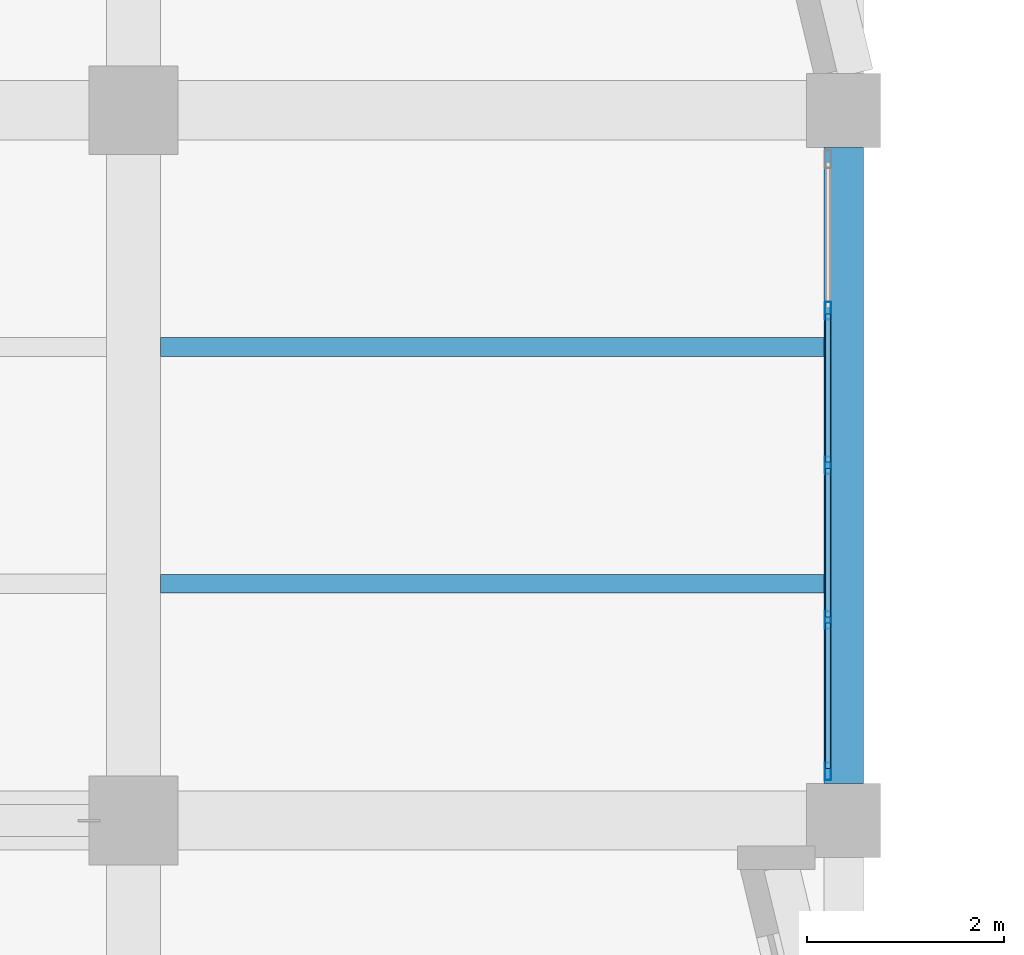
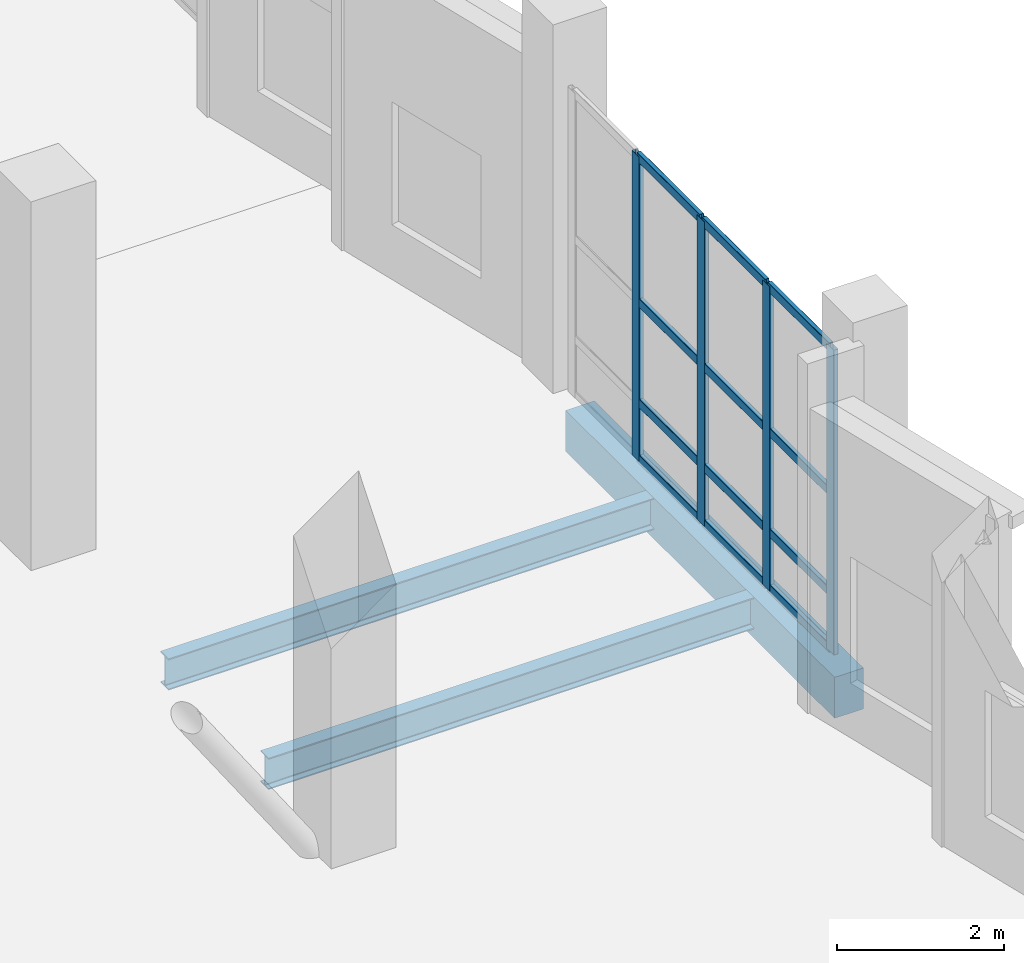
# One storey, part 18 of 137: 16 members, 3 beams, 1 element without a shape of its own.
"""IFC4 building model written with IfcOpenShell, lengths in metres."""

from ifc_helpers import new_model, si_unit, direction, frame, origin, origin_2d, place, context, subcontext, project, spatial, rectangle, hollow_rectangle, i_section, extrude, material, material_profile, profile_set, type_object, element, aggregate, save


model = new_model("IFC4")

# Units and contexts
model_context = context("Model", 3, precision=1e-05, world=origin(), true_north=direction((0.0, 1.0)))
body_context = subcontext(model_context, "Body", "Model", "MODEL_VIEW")
ifc_project = project(units=[si_unit("LENGTHUNIT", "METRE"), si_unit("AREAUNIT", "SQUARE_METRE"), si_unit("VOLUMEUNIT", "CUBIC_METRE"), si_unit("PLANEANGLEUNIT", "RADIAN"), si_unit("MASSUNIT", "GRAM", prefix="KILO")], contexts=[model_context])

# Site, building, storey
site_placement = place(None, origin())
site = spatial("IfcSite", under=ifc_project, at=site_placement, CompositionType="ELEMENT")
building_placement = place(site_placement, origin())
building = spatial("IfcBuilding", under=site, at=building_placement, Name="Kalmorath City Hall", CompositionType="ELEMENT")
storey_placement = place(building_placement, origin())
storey = spatial("IfcBuildingStorey", under=building, at=storey_placement, Name="L00", CompositionType="ELEMENT", Elevation=0.0)

# Beam
ifc_material_1 = material(Name="Concrete C40/50", Category="concrete")
ifc_material_profile_1 = material_profile(ifc_material_1, rectangle(XDim=0.39990234375, YDim=0.60009765625, at=origin_2d()), Name="RC-BM-400X600")
ifc_profile_set_1 = profile_set([ifc_material_profile_1], Name="Concrete C40/50")
beam_type_1 = type_object("IfcBeamType", Name="Concrete edge beam 400x600", PredefinedType="SPANDREL", material=ifc_profile_set_1)
beam_placement = place(storey_placement, frame((28.800048828125, 50.77490234375, -0.60400390625), z_axis=(0.0, 1.0, 0.0), x_axis=(-1.0, 0.0, 0.0)))
element("IfcBeam", 1, at=beam_placement, inside=storey, type_object=beam_type_1, Name="L00 girder CB6 Y5/8-9", PredefinedType="SPANDREL", context=body_context, shape_type="SweptSolid", body=[
    extrude(rectangle(XDim=0.39990234375, YDim=0.60009765625, at=origin_2d()), origin(), (0.0, 0.0, 1.0), 6.4501953125),
])

# Curtain wall, members
ifc_material_2 = material(Name="Anodised aluminium and laminated glass", Category="aluminium")
curtain_wall_type = type_object("IfcCurtainWallType", Name="Unitised hurricane curtain wall 6270x4461 M1600", PredefinedType="NOTDEFINED", material=ifc_material_2)
curtain_wall_placement = place(storey_placement, origin())
curtain_wall = element("IfcCurtainWall", 2, at=curtain_wall_placement, inside=storey, type_object=curtain_wall_type, Name="L00 curtain wall CW-63X45M16 #57", PredefinedType="NOTDEFINED")
ifc_material_3 = material(Name="Anodised aluminium framing", Category="aluminium")
ifc_material_profile_2 = material_profile(ifc_material_3, hollow_rectangle(XDim=0.06494140625, YDim=0.179931640625, WallThickness=0.00390625, InnerFilletRadius=0.00390625, OuterFilletRadius=0.008056640625, at=origin_2d()), Name="ALU-MUL-180X65X4")
ifc_profile_set_2 = profile_set([ifc_material_profile_2], Name="Anodised aluminium framing")
member_type_1 = type_object("IfcMemberType", Name="Curtain-wall courtyard mullion 180x65", PredefinedType="MULLION", material=ifc_profile_set_2)
member_1_placement = place(storey_placement, frame((28.639892578125, 55.5673828125, 0.0), z_axis=(0.0, 0.0, 1.0), x_axis=(1.0, 0.0, 0.0)))
member_1 = element("IfcMember", 3, at=member_1_placement, type_object=member_type_1, Name="CW-63X45M16 mullion 2", PredefinedType="MULLION", context=body_context, shape_type="SweptSolid", body=[
    extrude(hollow_rectangle(XDim=0.06494140625, YDim=0.179931640625, WallThickness=0.00390625, InnerFilletRadius=0.00390625, OuterFilletRadius=0.008056640625, at=origin_2d()), origin(), (0.0, 0.0, 1.0), 4.4609375),
])
member_2_placement = place(storey_placement, frame((28.639892578125, 54.0, 0.0), z_axis=(0.0, 0.0, 1.0), x_axis=(1.0, 0.0, 0.0)))
member_2 = element("IfcMember", 4, at=member_2_placement, type_object=member_type_1, Name="CW-63X45M16 mullion 3", PredefinedType="MULLION", context=body_context, shape_type="SweptSolid", body=[
    extrude(hollow_rectangle(XDim=0.06494140625, YDim=0.179931640625, WallThickness=0.00390625, InnerFilletRadius=0.00390625, OuterFilletRadius=0.008056640625, at=origin_2d()), origin(), (0.0, 0.0, 1.0), 4.4609375),
])
member_3_placement = place(storey_placement, frame((28.639892578125, 52.4326171875, 0.0), z_axis=(0.0, 0.0, 1.0), x_axis=(1.0, 0.0, 0.0)))
member_3 = element("IfcMember", 5, at=member_3_placement, type_object=member_type_1, Name="CW-63X45M16 mullion 4", PredefinedType="MULLION", context=body_context, shape_type="SweptSolid", body=[
    extrude(hollow_rectangle(XDim=0.06494140625, YDim=0.179931640625, WallThickness=0.00390625, InnerFilletRadius=0.00390625, OuterFilletRadius=0.008056640625, at=origin_2d()), origin(), (0.0, 0.0, 1.0), 4.4609375),
])
member_4_placement = place(storey_placement, frame((28.639892578125, 50.8974609375, 0.0), z_axis=(0.0, 0.0, 1.0), x_axis=(1.0, 0.0, 0.0)))
member_4 = element("IfcMember", 6, at=member_4_placement, type_object=member_type_1, Name="CW-63X45M16 mullion 5", PredefinedType="MULLION", context=body_context, shape_type="SweptSolid", body=[
    extrude(hollow_rectangle(XDim=0.06494140625, YDim=0.179931640625, WallThickness=0.00390625, InnerFilletRadius=0.00390625, OuterFilletRadius=0.008056640625, at=origin_2d()), origin(), (0.0, 0.0, 1.0), 4.4609375),
])
ifc_material_4 = material(Name="Anodised aluminium framing", Category="aluminium")
ifc_material_profile_3 = material_profile(ifc_material_4, hollow_rectangle(XDim=0.06005859375, YDim=0.1298828125, WallThickness=0.00341796875, InnerFilletRadius=0.00341796875, OuterFilletRadius=0.007080078125, at=origin_2d()), Name="ALU-TRN-130X60X3.5")
ifc_profile_set_3 = profile_set([ifc_material_profile_3], Name="Anodised aluminium framing")
member_type_2 = type_object("IfcMemberType", Name="Curtain-wall courtyard transom 130x60", PredefinedType="USERDEFINED", material=ifc_profile_set_3)
member_5_placement = place(storey_placement, frame((28.639892578125, 55.534912109375, 0.030029296875), z_axis=(0.0, -1.0, 0.0), x_axis=(1.0, 0.0, 0.0)))
member_5 = element("IfcMember", 7, at=member_5_placement, type_object=member_type_2, Name="CW-63X45M16 transom 2.1", ObjectType="TRANSOM", PredefinedType="USERDEFINED", context=body_context, shape_type="SweptSolid", body=[
    extrude(hollow_rectangle(XDim=0.06005859375, YDim=0.1298828125, WallThickness=0.00341796875, InnerFilletRadius=0.00341796875, OuterFilletRadius=0.007080078125, at=origin_2d()), origin(), (0.0, 0.0, 1.0), 1.50244140625),
])
member_6_placement = place(storey_placement, frame((28.639892578125, 55.534912109375, 0.85009765625), z_axis=(0.0, -1.0, 0.0), x_axis=(1.0, 0.0, 0.0)))
member_6 = element("IfcMember", 8, at=member_6_placement, type_object=member_type_2, Name="CW-63X45M16 transom 2.2", ObjectType="TRANSOM", PredefinedType="USERDEFINED", context=body_context, shape_type="SweptSolid", body=[
    extrude(hollow_rectangle(XDim=0.06005859375, YDim=0.1298828125, WallThickness=0.00341796875, InnerFilletRadius=0.00341796875, OuterFilletRadius=0.007080078125, at=origin_2d()), origin(), (0.0, 0.0, 1.0), 1.50244140625),
])
member_7_placement = place(storey_placement, frame((28.639892578125, 55.534912109375, 2.320068359375), z_axis=(0.0, -1.0, 0.0), x_axis=(1.0, 0.0, 0.0)))
member_7 = element("IfcMember", 9, at=member_7_placement, type_object=member_type_2, Name="CW-63X45M16 transom 2.3", ObjectType="TRANSOM", PredefinedType="USERDEFINED", context=body_context, shape_type="SweptSolid", body=[
    extrude(hollow_rectangle(XDim=0.06005859375, YDim=0.1298828125, WallThickness=0.00341796875, InnerFilletRadius=0.00341796875, OuterFilletRadius=0.007080078125, at=origin_2d()), origin(), (0.0, 0.0, 1.0), 1.50244140625),
])
member_8_placement = place(storey_placement, frame((28.639892578125, 55.534912109375, 4.430908203125), z_axis=(0.0, -1.0, 0.0), x_axis=(1.0, 0.0, 0.0)))
member_8 = element("IfcMember", 10, at=member_8_placement, type_object=member_type_2, Name="CW-63X45M16 transom 2.4", ObjectType="TRANSOM", PredefinedType="USERDEFINED", context=body_context, shape_type="SweptSolid", body=[
    extrude(hollow_rectangle(XDim=0.06005859375, YDim=0.1298828125, WallThickness=0.00341796875, InnerFilletRadius=0.00341796875, OuterFilletRadius=0.007080078125, at=origin_2d()), origin(), (0.0, 0.0, 1.0), 1.50244140625),
])
member_9_placement = place(storey_placement, frame((28.639892578125, 53.967529296875, 0.030029296875), z_axis=(0.0, -1.0, 0.0), x_axis=(1.0, 0.0, 0.0)))
member_9 = element("IfcMember", 11, at=member_9_placement, type_object=member_type_2, Name="CW-63X45M16 transom 3.1", ObjectType="TRANSOM", PredefinedType="USERDEFINED", context=body_context, shape_type="SweptSolid", body=[
    extrude(hollow_rectangle(XDim=0.06005859375, YDim=0.1298828125, WallThickness=0.00341796875, InnerFilletRadius=0.00341796875, OuterFilletRadius=0.007080078125, at=origin_2d()), origin(), (0.0, 0.0, 1.0), 1.50244140625),
])
member_10_placement = place(storey_placement, frame((28.639892578125, 53.967529296875, 0.85009765625), z_axis=(0.0, -1.0, 0.0), x_axis=(1.0, 0.0, 0.0)))
member_10 = element("IfcMember", 12, at=member_10_placement, type_object=member_type_2, Name="CW-63X45M16 transom 3.2", ObjectType="TRANSOM", PredefinedType="USERDEFINED", context=body_context, shape_type="SweptSolid", body=[
    extrude(hollow_rectangle(XDim=0.06005859375, YDim=0.1298828125, WallThickness=0.00341796875, InnerFilletRadius=0.00341796875, OuterFilletRadius=0.007080078125, at=origin_2d()), origin(), (0.0, 0.0, 1.0), 1.50244140625),
])
member_11_placement = place(storey_placement, frame((28.639892578125, 53.967529296875, 2.320068359375), z_axis=(0.0, -1.0, 0.0), x_axis=(1.0, 0.0, 0.0)))
member_11 = element("IfcMember", 13, at=member_11_placement, type_object=member_type_2, Name="CW-63X45M16 transom 3.3", ObjectType="TRANSOM", PredefinedType="USERDEFINED", context=body_context, shape_type="SweptSolid", body=[
    extrude(hollow_rectangle(XDim=0.06005859375, YDim=0.1298828125, WallThickness=0.00341796875, InnerFilletRadius=0.00341796875, OuterFilletRadius=0.007080078125, at=origin_2d()), origin(), (0.0, 0.0, 1.0), 1.50244140625),
])
member_12_placement = place(storey_placement, frame((28.639892578125, 53.967529296875, 4.430908203125), z_axis=(0.0, -1.0, 0.0), x_axis=(1.0, 0.0, 0.0)))
member_12 = element("IfcMember", 14, at=member_12_placement, type_object=member_type_2, Name="CW-63X45M16 transom 3.4", ObjectType="TRANSOM", PredefinedType="USERDEFINED", context=body_context, shape_type="SweptSolid", body=[
    extrude(hollow_rectangle(XDim=0.06005859375, YDim=0.1298828125, WallThickness=0.00341796875, InnerFilletRadius=0.00341796875, OuterFilletRadius=0.007080078125, at=origin_2d()), origin(), (0.0, 0.0, 1.0), 1.50244140625),
])
member_13_placement = place(storey_placement, frame((28.639892578125, 52.39990234375, 0.030029296875), z_axis=(0.0, -1.0, 0.0), x_axis=(1.0, 0.0, 0.0)))
member_13 = element("IfcMember", 15, at=member_13_placement, type_object=member_type_2, Name="CW-63X45M16 transom 4.1", ObjectType="TRANSOM", PredefinedType="USERDEFINED", context=body_context, shape_type="SweptSolid", body=[
    extrude(hollow_rectangle(XDim=0.06005859375, YDim=0.1298828125, WallThickness=0.00341796875, InnerFilletRadius=0.00341796875, OuterFilletRadius=0.007080078125, at=origin_2d()), origin(), (0.0, 0.0, 1.0), 1.469970703125),
])
member_14_placement = place(storey_placement, frame((28.639892578125, 52.39990234375, 0.85009765625), z_axis=(0.0, -1.0, 0.0), x_axis=(1.0, 0.0, 0.0)))
member_14 = element("IfcMember", 16, at=member_14_placement, type_object=member_type_2, Name="CW-63X45M16 transom 4.2", ObjectType="TRANSOM", PredefinedType="USERDEFINED", context=body_context, shape_type="SweptSolid", body=[
    extrude(hollow_rectangle(XDim=0.06005859375, YDim=0.1298828125, WallThickness=0.00341796875, InnerFilletRadius=0.00341796875, OuterFilletRadius=0.007080078125, at=origin_2d()), origin(), (0.0, 0.0, 1.0), 1.469970703125),
])
member_15_placement = place(storey_placement, frame((28.639892578125, 52.39990234375, 2.320068359375), z_axis=(0.0, -1.0, 0.0), x_axis=(1.0, 0.0, 0.0)))
member_15 = element("IfcMember", 17, at=member_15_placement, type_object=member_type_2, Name="CW-63X45M16 transom 4.3", ObjectType="TRANSOM", PredefinedType="USERDEFINED", context=body_context, shape_type="SweptSolid", body=[
    extrude(hollow_rectangle(XDim=0.06005859375, YDim=0.1298828125, WallThickness=0.00341796875, InnerFilletRadius=0.00341796875, OuterFilletRadius=0.007080078125, at=origin_2d()), origin(), (0.0, 0.0, 1.0), 1.469970703125),
])
member_16_placement = place(storey_placement, frame((28.639892578125, 52.39990234375, 4.430908203125), z_axis=(0.0, -1.0, 0.0), x_axis=(1.0, 0.0, 0.0)))
member_16 = element("IfcMember", 18, at=member_16_placement, type_object=member_type_2, Name="CW-63X45M16 transom 4.4", ObjectType="TRANSOM", PredefinedType="USERDEFINED", context=body_context, shape_type="SweptSolid", body=[
    extrude(hollow_rectangle(XDim=0.06005859375, YDim=0.1298828125, WallThickness=0.00341796875, InnerFilletRadius=0.00341796875, OuterFilletRadius=0.007080078125, at=origin_2d()), origin(), (0.0, 0.0, 1.0), 1.469970703125),
])
aggregate(curtain_wall, [member_1, member_2, member_3, member_4, member_5, member_6, member_7, member_8, member_9, member_10, member_11, member_12, member_13, member_14, member_15, member_16])

# Beams
ifc_material_5 = material(Name="Steel ASTM A992 Grade 50", Category="steel")
ifc_material_profile_4 = material_profile(ifc_material_5, i_section(OverallWidth=0.19091796875, OverallDepth=0.4599609375, WebThickness=0.010009765625, FlangeThickness=0.01611328125, FilletRadius=0.013916015625, at=origin_2d()), Name="W18X55")
ifc_profile_set_4 = profile_set([ifc_material_profile_4], Name="Steel ASTM A992 Grade 50")
beam_type_2 = type_object("IfcBeamType", Name="Steel composite joist W18X55", PredefinedType="JOIST", material=ifc_profile_set_4)
for number, where, z_axis, x_axis, name in (
    (19, (21.875, 52.800048828125, -0.533935546875), (1.0, 0.0, 0.0), (0.0, 1.0, 0.0), "L00 joist SJ2 4.8.1"),
    (20, (21.875, 55.199951171875, -0.533935546875), (1.0, 0.0, 0.0), (0.0, 1.0, 0.0), "L00 joist SJ2 4.8.2"),
):
    element("IfcBeam", number, at=place(storey_placement, frame(where, z_axis=z_axis, x_axis=x_axis)), inside=storey, type_object=beam_type_2, Name=name, PredefinedType="JOIST", context=body_context, shape_type="SweptSolid", body=[
        extrude(i_section(OverallWidth=0.19091796875, OverallDepth=0.4599609375, WebThickness=0.010009765625, FlangeThickness=0.01611328125, FilletRadius=0.013916015625, at=origin_2d()), origin(), (0.0, 0.0, 1.0), 6.72509765625),
    ])

save(model, "model.ifc")
